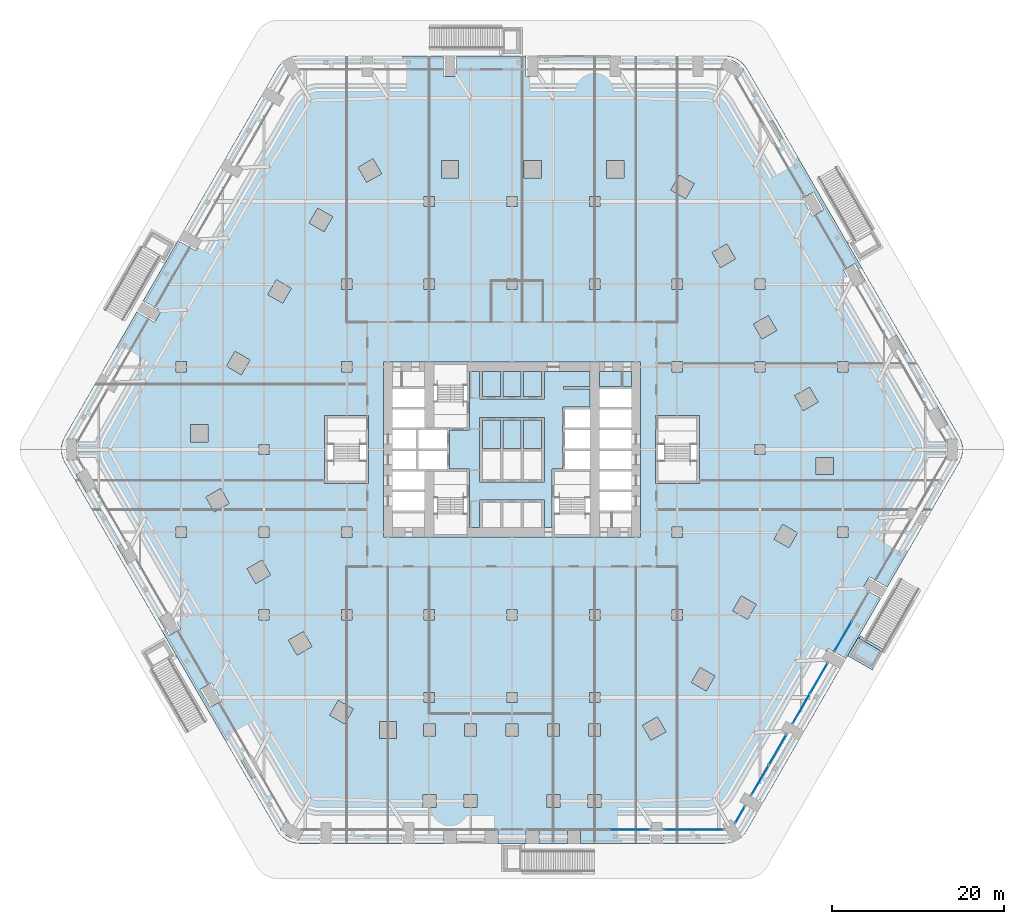
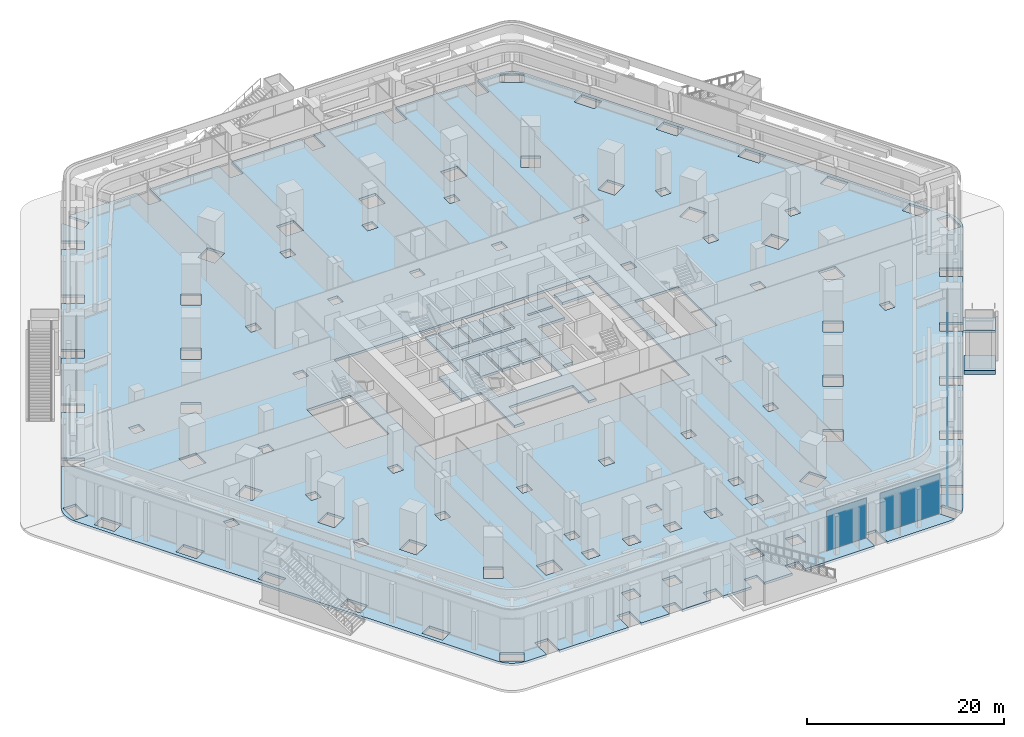
# One storey, part 14 of 34: 11 slabs, 8 plates, 7 elements without a shape of their own.
"""IFC4 building model written with IfcOpenShell, lengths in metres."""

from ifc_helpers import new_model, si_unit, direction, frame, origin, origin_2d, place, context, subcontext, project, spatial, polyline, rectangle, outline, extrude, material, layer, layer_set, type_object, element, aggregate, save


model = new_model("IFC4")

# Units and contexts
model_context = context("Model", 3, precision=1e-05, world=origin(), true_north=direction((0.0, 1.0)))
body_context = subcontext(model_context, "Body", "Model", "MODEL_VIEW")
ifc_project = project(units=[si_unit("LENGTHUNIT", "METRE"), si_unit("AREAUNIT", "SQUARE_METRE"), si_unit("VOLUMEUNIT", "CUBIC_METRE"), si_unit("PLANEANGLEUNIT", "RADIAN"), si_unit("MASSUNIT", "GRAM", prefix="KILO")], contexts=[model_context])

# Site, building, storey
site_placement = place(None, origin())
site = spatial("IfcSite", under=ifc_project, at=site_placement, CompositionType="ELEMENT")
building_placement = place(site_placement, origin())
building = spatial("IfcBuilding", under=site, at=building_placement, Name="Kolab Exchange Tower", CompositionType="ELEMENT")
storey_placement = place(building_placement, frame((0.0, 0.0, 7.0)))
storey = spatial("IfcBuildingStorey", under=building, at=storey_placement, Name="L01", CompositionType="ELEMENT", Elevation=7.0)

# Slabs
ifc_material_1 = material(Name="Concrete C35/45", Category="concrete")
ifc_layer_1 = layer(ifc_material_1, 0.300048828125)
ifc_layer_set_1 = layer_set([ifc_layer_1], Name="Concrete C35/45")
slab_type_1 = type_object("IfcSlabType", Name="FLOOR SLAB 300", PredefinedType="FLOOR", material=ifc_layer_set_1)
slab_1_placement = place(storey_placement, frame((0.0, 0.0, -0.300048828125)))
element("IfcSlab", 1, at=slab_1_placement, inside=storey, type_object=slab_type_1, Name="slab/L01/floor/0", PredefinedType="FLOOR", context=body_context, shape_type="SweptSolid", body=[
    extrude(outline(polyline([(24.66796875, 45.72607421875), (22.35009765625, 45.72607421875), (22.35009765625, 43.326171875), (20.85009765625, 43.326171875), (20.85009765625, 45.72607421875), (12.75, 45.72607421875), (12.75, 43.326171875), (11.25, 43.326171875), (11.25, 45.72607421875), (3.14990234375, 45.72607421875), (3.14990234375, 43.326171875), (1.64990234375, 43.326171875), (1.64990234375, 45.72607421875), (-6.449951171875, 45.72607421875), (-6.449951171875, 43.326171875), (-7.949951171875, 43.326171875), (-7.949951171875, 45.72607421875), (-16.050048828125, 45.72607421875), (-16.050048828125, 43.326171875), (-17.550048828125, 43.326171875), (-17.550048828125, 45.72607421875), (-24.66796875, 45.72607421875), (-25.18896484375, 45.6806640625), (-25.46484375, 45.606689453125), (-24.318359375, 43.620849609375), (-25.617431640625, 42.870849609375), (-26.763916015625, 44.856689453125), (-26.966064453125, 44.654541015625), (-27.26611328125, 44.22607421875), (-28.425048828125, 42.21875), (-26.346435546875, 41.018798828125), (-27.096435546875, 39.7197265625), (-29.175048828125, 40.919677734375), (-33.22509765625, 33.90478515625), (-31.146484375, 32.704833984375), (-31.896484375, 31.40576171875), (-33.97509765625, 32.60595703125), (-38.02490234375, 25.591064453125), (-35.946533203125, 24.39111328125), (-36.696533203125, 23.092041015625), (-38.77490234375, 24.2919921875), (-42.824951171875, 17.277099609375), (-40.74658203125, 16.0771484375), (-41.49658203125, 14.778076171875), (-43.574951171875, 15.978271484375), (-47.625, 8.96337890625), (-45.546630859375, 7.763427734375), (-46.296630859375, 6.46435546875), (-48.375, 7.664306640625), (-51.93408203125, 1.5), (-52.155029296875, 1.026123046875), (-52.290283203125, 0.52099609375), (-52.3359375, 0.0), (-52.290283203125, -0.52099609375), (-52.155029296875, -1.026123046875), (-51.93408203125, -1.5), (-27.26611328125, -44.22607421875), (-26.966064453125, -44.654541015625), (-26.59619140625, -45.024169921875), (-26.16796875, -45.32421875), (-25.694091796875, -45.545166015625), (-25.18896484375, -45.6806640625), (-24.66796875, -45.72607421875), (-22.35009765625, -45.72607421875), (-22.35009765625, -43.326171875), (-20.85009765625, -43.326171875), (-20.85009765625, -45.72607421875), (-12.75, -45.72607421875), (-12.75, -43.326171875), (-11.25, -43.326171875), (-11.25, -45.72607421875), (-7.949951171875, -45.72607421875), (-7.949951171875, -44.22607421875), (-6.449951171875, -44.22607421875), (-6.449951171875, -45.72607421875), (-3.14990234375, -45.72607421875), (-3.14990234375, -44.22607421875), (-1.64990234375, -44.22607421875), (-1.64990234375, -45.72607421875), (1.64990234375, -45.72607421875), (1.64990234375, -44.22607421875), (3.14990234375, -44.22607421875), (3.14990234375, -45.72607421875), (6.449951171875, -45.72607421875), (6.449951171875, -44.22607421875), (7.949951171875, -44.22607421875), (7.949951171875, -45.72607421875), (16.050048828125, -45.72607421875), (16.050048828125, -43.326171875), (17.550048828125, -43.326171875), (17.550048828125, -45.72607421875), (24.66796875, -45.72607421875), (25.18896484375, -45.6806640625), (25.46484375, -45.606689453125), (24.318359375, -43.620849609375), (25.617431640625, -42.870849609375), (26.763916015625, -44.856689453125), (26.966064453125, -44.654541015625), (27.26611328125, -44.22607421875), (28.425048828125, -42.21875), (26.346435546875, -41.018798828125), (27.096435546875, -39.7197265625), (29.175048828125, -40.919677734375), (33.22509765625, -33.90478515625), (31.146484375, -32.704833984375), (31.896484375, -31.40576171875), (33.97509765625, -32.60595703125), (38.02490234375, -25.591064453125), (35.946533203125, -24.39111328125), (36.696533203125, -23.092041015625), (38.77490234375, -24.2919921875), (42.824951171875, -17.277099609375), (40.74658203125, -16.0771484375), (41.49658203125, -14.778076171875), (43.574951171875, -15.978271484375), (47.625, -8.96337890625), (45.546630859375, -7.763427734375), (46.296630859375, -6.46435546875), (48.375, -7.664306640625), (51.93408203125, -1.5), (52.155029296875, -1.026123046875), (52.290283203125, -0.52099609375), (52.3359375, 0.0), (52.290283203125, 0.52099609375), (52.155029296875, 1.026123046875), (51.93408203125, 1.5), (27.26611328125, 44.22607421875), (26.966064453125, 44.654541015625), (26.59619140625, 45.024169921875), (26.16796875, 45.32421875), (25.694091796875, 45.545166015625), (25.18896484375, 45.6806640625), (24.66796875, 45.72607421875)]), holes=[polyline([(-26.232177734375, -43.035400390625), (-24.15380859375, -44.2353515625), (-24.90380859375, -45.534423828125), (-26.982177734375, -44.33447265625), (-26.232177734375, -43.035400390625)]), polyline([(-30.111328125, -35.39794921875), (-28.9111328125, -37.4765625), (-30.210205078125, -38.2265625), (-31.410400390625, -36.14794921875), (-30.111328125, -35.39794921875)]), polyline([(-15.39990234375, -31.555419921875), (-13.39990234375, -31.555419921875), (-13.39990234375, -33.555419921875), (-15.39990234375, -33.555419921875), (-15.39990234375, -31.555419921875)]), polyline([(-20.171875, -29.1318359375), (-18.43994140625, -30.1318359375), (-19.43994140625, -31.86376953125), (-21.171875, -30.86376953125), (-20.171875, -29.1318359375)]), polyline([(-34.9111328125, -27.084228515625), (-33.711181640625, -29.16259765625), (-35.01025390625, -29.91259765625), (-36.210205078125, -27.834228515625), (-34.9111328125, -27.084228515625)]), polyline([(-25.959716796875, -22.14697265625), (-24.227783203125, -21.14697265625), (-23.227783203125, -22.879150390625), (-24.959716796875, -23.879150390625), (-25.959716796875, -22.14697265625)]), polyline([(-39.711181640625, -18.770263671875), (-38.51123046875, -20.848876953125), (-39.810302734375, -21.598876953125), (-41.01025390625, -19.520263671875), (-39.711181640625, -18.770263671875)]), polyline([(-18.60009765625, -18.60009765625), (-18.60009765625, -19.800048828125), (-19.800048828125, -19.800048828125), (-19.800048828125, -18.60009765625), (-18.60009765625, -18.60009765625)]), polyline([(-29.39990234375, -18.60009765625), (-28.199951171875, -18.60009765625), (-28.199951171875, -19.800048828125), (-29.39990234375, -19.800048828125), (-29.39990234375, -18.60009765625)]), polyline([(-29.02783203125, -12.833251953125), (-28.02783203125, -14.565185546875), (-29.759765625, -15.565185546875), (-30.759765625, -13.833251953125), (-29.02783203125, -12.833251953125)]), polyline([(-44.51123046875, -10.45654296875), (-43.311279296875, -12.534912109375), (-44.6103515625, -13.284912109375), (-45.810302734375, -11.20654296875), (-44.51123046875, -10.45654296875)]), polyline([(-39.0, -9.0), (-37.800048828125, -9.0), (-37.800048828125, -10.199951171875), (-39.0, -10.199951171875), (-39.0, -9.0)]), polyline([(-18.60009765625, -9.0), (-18.60009765625, -10.199951171875), (-19.800048828125, -10.199951171875), (-19.800048828125, -9.0), (-18.60009765625, -9.0)]), polyline([(-28.199951171875, -9.0), (-28.199951171875, -10.199951171875), (-29.39990234375, -10.199951171875), (-29.39990234375, -9.0), (-28.199951171875, -9.0)]), polyline([(-35.559814453125, -5.519287109375), (-33.82763671875, -4.519287109375), (-32.82763671875, -6.25146484375), (-34.559814453125, -7.25146484375), (-35.559814453125, -5.519287109375)]), polyline([(-21.449951171875, -3.949951171875), (-21.75, -3.949951171875), (-21.75, 3.949951171875), (-21.449951171875, 3.949951171875), (-16.949951171875, 3.949951171875), (-16.64990234375, 3.949951171875), (-16.64990234375, -3.949951171875), (-16.949951171875, -3.949951171875), (-21.449951171875, -3.949951171875)]), polyline([(-49.311279296875, -2.142578125), (-48.111328125, -4.22119140625), (-49.410400390625, -4.97119140625), (-50.6103515625, -2.892578125), (-49.311279296875, -2.142578125)]), polyline([(-13.85009765625, -10.14990234375), (-14.949951171875, -10.14990234375), (-14.949951171875, 10.14990234375), (-13.85009765625, 10.14990234375), (-10.14990234375, 10.14990234375), (-9.050048828125, 10.14990234375), (-5.25, 10.14990234375), (9.050048828125, 10.14990234375), (10.14990234375, 10.14990234375), (13.85009765625, 10.14990234375), (14.949951171875, 10.14990234375), (14.949951171875, -10.14990234375), (13.85009765625, -10.14990234375), (10.14990234375, -10.14990234375), (9.050048828125, -10.14990234375), (4.949951171875, -10.14990234375), (-5.25, -10.14990234375), (-9.050048828125, -10.14990234375), (-10.14990234375, -10.14990234375), (-13.85009765625, -10.14990234375)]), polyline([(-50.385986328125, 1.199951171875), (-50.385986328125, -1.199951171875), (-51.885986328125, -1.199951171875), (-51.885986328125, 1.199951171875), (-50.385986328125, 1.199951171875)]), polyline([(-28.199951171875, 0.60009765625), (-28.199951171875, -0.60009765625), (-29.39990234375, -0.60009765625), (-29.39990234375, 0.60009765625), (-28.199951171875, 0.60009765625)]), polyline([(-37.31494140625, 2.903564453125), (-35.31494140625, 2.903564453125), (-35.31494140625, 0.903564453125), (-37.31494140625, 0.903564453125), (-37.31494140625, 2.903564453125)]), polyline([(-39.0, 10.199951171875), (-37.800048828125, 10.199951171875), (-37.800048828125, 9.0), (-39.0, 9.0), (-39.0, 10.199951171875)]), polyline([(-18.60009765625, 10.199951171875), (-18.60009765625, 9.0), (-19.800048828125, 9.0), (-19.800048828125, 10.199951171875), (-18.60009765625, 10.199951171875)]), polyline([(-32.159912109375, 11.408447265625), (-30.427734375, 10.408447265625), (-31.427734375, 8.67626953125), (-33.159912109375, 9.67626953125), (-32.159912109375, 11.408447265625)]), polyline([(-27.35986328125, 19.72216796875), (-25.627685546875, 18.72216796875), (-26.627685546875, 16.990234375), (-28.35986328125, 17.990234375), (-27.35986328125, 19.72216796875)]), polyline([(-18.60009765625, 19.800048828125), (-18.60009765625, 18.60009765625), (-19.800048828125, 18.60009765625), (-19.800048828125, 19.800048828125), (-18.60009765625, 19.800048828125)]), polyline([(-22.559814453125, 28.0361328125), (-20.82763671875, 27.0361328125), (-21.82763671875, 25.303955078125), (-23.559814453125, 26.303955078125), (-22.559814453125, 28.0361328125)]), polyline([(-16.14306640625, 33.767333984375), (-15.14306640625, 32.035400390625), (-16.875, 31.035400390625), (-17.875, 32.767333984375), (-16.14306640625, 33.767333984375)]), polyline([(-8.85009765625, -40.0693359375), (-8.85009765625, -41.5693359375), (-10.35009765625, -41.5693359375), (-10.35009765625, -40.0693359375), (-8.85009765625, -40.0693359375)]), polyline([(-10.300048828125, -31.85546875), (-8.89990234375, -31.85546875), (-8.89990234375, -33.25537109375), (-10.300048828125, -33.25537109375), (-10.300048828125, -31.85546875)]), polyline([(-9.0, -28.199951171875), (-9.0, -29.39990234375), (-10.199951171875, -29.39990234375), (-10.199951171875, -28.199951171875), (-9.0, -28.199951171875)]), polyline([(-9.0, -18.60009765625), (-9.0, -19.800048828125), (-10.199951171875, -19.800048828125), (-10.199951171875, -18.60009765625), (-9.0, -18.60009765625)]), polyline([(-9.0, 19.800048828125), (-9.0, 18.60009765625), (-10.199951171875, 18.60009765625), (-10.199951171875, 19.800048828125), (-9.0, 19.800048828125)]), polyline([(-10.199951171875, 29.39990234375), (-9.0, 29.39990234375), (-9.0, 28.199951171875), (-10.199951171875, 28.199951171875), (-10.199951171875, 29.39990234375)]), polyline([(-6.199951171875, 33.555419921875), (-6.199951171875, 31.555419921875), (-8.199951171875, 31.555419921875), (-8.199951171875, 33.555419921875), (-6.199951171875, 33.555419921875)]), polyline([(-4.050048828125, -40.0693359375), (-4.050048828125, -41.5693359375), (-5.550048828125, -41.5693359375), (-5.550048828125, -40.0693359375), (-4.050048828125, -40.0693359375)]), polyline([(0.699951171875, -31.85546875), (0.699951171875, -33.25537109375), (-0.699951171875, -33.25537109375), (-0.699951171875, -31.85546875), (0.699951171875, -31.85546875)]), polyline([(-4.10009765625, -31.85546875), (-4.10009765625, -33.25537109375), (-5.5, -33.25537109375), (-5.5, -31.85546875), (-4.10009765625, -31.85546875)]), polyline([(0.60009765625, -28.199951171875), (0.60009765625, -29.39990234375), (-0.60009765625, -29.39990234375), (-0.60009765625, -28.199951171875), (0.60009765625, -28.199951171875)]), polyline([(0.60009765625, -18.60009765625), (0.60009765625, -19.800048828125), (-0.60009765625, -19.800048828125), (-0.60009765625, -18.60009765625), (0.60009765625, -18.60009765625)]), polyline([(0.60009765625, 19.800048828125), (0.60009765625, 18.60009765625), (-0.60009765625, 18.60009765625), (-0.60009765625, 19.800048828125), (0.60009765625, 19.800048828125)]), polyline([(-0.60009765625, 29.39990234375), (0.60009765625, 29.39990234375), (0.60009765625, 28.199951171875), (-0.60009765625, 28.199951171875), (-0.60009765625, 29.39990234375)]), polyline([(3.39990234375, 33.555419921875), (3.39990234375, 31.555419921875), (1.39990234375, 31.555419921875), (1.39990234375, 33.555419921875), (3.39990234375, 33.555419921875)]), polyline([(5.550048828125, -40.0693359375), (5.550048828125, -41.5693359375), (4.050048828125, -41.5693359375), (4.050048828125, -40.0693359375), (5.550048828125, -40.0693359375)]), polyline([(10.35009765625, -40.0693359375), (10.35009765625, -41.5693359375), (8.85009765625, -41.5693359375), (8.85009765625, -40.0693359375), (10.35009765625, -40.0693359375)]), polyline([(10.300048828125, -31.85546875), (10.300048828125, -33.25537109375), (8.89990234375, -33.25537109375), (8.89990234375, -31.85546875), (10.300048828125, -31.85546875)]), polyline([(4.10009765625, -31.85546875), (5.5, -31.85546875), (5.5, -33.25537109375), (4.10009765625, -33.25537109375), (4.10009765625, -31.85546875)]), polyline([(10.199951171875, -28.199951171875), (10.199951171875, -29.39990234375), (9.0, -29.39990234375), (9.0, -28.199951171875), (10.199951171875, -28.199951171875)]), polyline([(10.199951171875, -18.60009765625), (10.199951171875, -19.800048828125), (9.0, -19.800048828125), (9.0, -18.60009765625), (10.199951171875, -18.60009765625)]), polyline([(10.199951171875, 19.800048828125), (10.199951171875, 18.60009765625), (9.0, 18.60009765625), (9.0, 19.800048828125), (10.199951171875, 19.800048828125)]), polyline([(10.199951171875, 29.39990234375), (10.199951171875, 28.199951171875), (9.0, 28.199951171875), (9.0, 29.39990234375), (10.199951171875, 29.39990234375)]), polyline([(13.0, 33.555419921875), (13.0, 31.555419921875), (11.0, 31.555419921875), (11.0, 33.555419921875), (13.0, 33.555419921875)]), polyline([(16.875, -31.035400390625), (17.875, -32.767333984375), (16.14306640625, -33.767333984375), (15.14306640625, -32.035400390625), (16.875, -31.035400390625)]), polyline([(20.82763671875, -27.0361328125), (21.82763671875, -25.303955078125), (23.559814453125, -26.303955078125), (22.559814453125, -28.0361328125), (20.82763671875, -27.0361328125)]), polyline([(19.800048828125, -18.60009765625), (19.800048828125, -19.800048828125), (18.60009765625, -19.800048828125), (18.60009765625, -18.60009765625), (19.800048828125, -18.60009765625)]), polyline([(25.627685546875, -18.72216796875), (26.627685546875, -16.990234375), (28.35986328125, -17.990234375), (27.35986328125, -19.72216796875), (25.627685546875, -18.72216796875)]), polyline([(31.427734375, -8.67626953125), (33.159912109375, -9.67626953125), (32.159912109375, -11.408447265625), (30.427734375, -10.408447265625), (31.427734375, -8.67626953125)]), polyline([(39.0, -9.0), (39.0, -10.199951171875), (37.800048828125, -10.199951171875), (37.800048828125, -9.0), (39.0, -9.0)]), polyline([(19.800048828125, -9.0), (19.800048828125, -10.199951171875), (18.60009765625, -10.199951171875), (18.60009765625, -9.0), (19.800048828125, -9.0)]), polyline([(21.75, -3.949951171875), (21.449951171875, -3.949951171875), (16.949951171875, -3.949951171875), (16.64990234375, -3.949951171875), (16.64990234375, 3.949951171875), (16.949951171875, 3.949951171875), (21.449951171875, 3.949951171875), (21.75, 3.949951171875), (21.75, -3.949951171875)]), polyline([(37.31494140625, -0.903564453125), (37.31494140625, -2.903564453125), (35.31494140625, -2.903564453125), (35.31494140625, -0.903564453125), (37.31494140625, -0.903564453125)]), polyline([(50.385986328125, 1.199951171875), (51.885986328125, 1.199951171875), (51.885986328125, -1.199951171875), (50.385986328125, -1.199951171875), (50.385986328125, 1.199951171875)]), polyline([(29.39990234375, 0.60009765625), (29.39990234375, -0.60009765625), (28.199951171875, -0.60009765625), (28.199951171875, 0.60009765625), (29.39990234375, 0.60009765625)]), polyline([(49.410400390625, 4.97119140625), (50.6103515625, 2.892578125), (49.311279296875, 2.142578125), (48.111328125, 4.22119140625), (49.410400390625, 4.97119140625)]), polyline([(34.559814453125, 7.25146484375), (35.559814453125, 5.519287109375), (33.82763671875, 4.519287109375), (32.82763671875, 6.25146484375), (34.559814453125, 7.25146484375)]), polyline([(29.39990234375, 10.199951171875), (29.39990234375, 9.0), (28.199951171875, 9.0), (28.199951171875, 10.199951171875), (29.39990234375, 10.199951171875)]), polyline([(18.60009765625, 10.199951171875), (19.800048828125, 10.199951171875), (19.800048828125, 9.0), (18.60009765625, 9.0), (18.60009765625, 10.199951171875)]), polyline([(39.0, 10.199951171875), (39.0, 9.0), (37.800048828125, 9.0), (37.800048828125, 10.199951171875), (39.0, 10.199951171875)]), polyline([(44.6103515625, 13.284912109375), (45.810302734375, 11.20654296875), (44.51123046875, 10.45654296875), (43.311279296875, 12.534912109375), (44.6103515625, 13.284912109375)]), polyline([(28.02783203125, 14.565185546875), (29.759765625, 15.565185546875), (30.759765625, 13.833251953125), (29.02783203125, 12.833251953125), (28.02783203125, 14.565185546875)]), polyline([(29.39990234375, 19.800048828125), (29.39990234375, 18.60009765625), (28.199951171875, 18.60009765625), (28.199951171875, 19.800048828125), (29.39990234375, 19.800048828125)]), polyline([(19.800048828125, 19.800048828125), (19.800048828125, 18.60009765625), (18.60009765625, 18.60009765625), (18.60009765625, 19.800048828125), (19.800048828125, 19.800048828125)]), polyline([(38.51123046875, 20.848876953125), (39.810302734375, 21.598876953125), (41.01025390625, 19.520263671875), (39.711181640625, 18.770263671875), (38.51123046875, 20.848876953125)]), polyline([(24.959716796875, 23.879150390625), (25.959716796875, 22.14697265625), (24.227783203125, 21.14697265625), (23.227783203125, 22.879150390625), (24.959716796875, 23.879150390625)]), polyline([(35.01025390625, 29.91259765625), (36.210205078125, 27.834228515625), (34.9111328125, 27.084228515625), (33.711181640625, 29.16259765625), (35.01025390625, 29.91259765625)]), polyline([(19.43994140625, 31.86376953125), (21.171875, 30.86376953125), (20.171875, 29.1318359375), (18.43994140625, 30.1318359375), (19.43994140625, 31.86376953125)]), polyline([(30.210205078125, 38.2265625), (31.410400390625, 36.14794921875), (30.111328125, 35.39794921875), (28.9111328125, 37.4765625), (30.210205078125, 38.2265625)]), polyline([(24.90380859375, 45.534423828125), (26.982177734375, 44.33447265625), (26.232177734375, 43.035400390625), (24.15380859375, 44.2353515625), (24.90380859375, 45.534423828125)])]), origin(), (0.0, 0.0, 1.0), 0.300048828125),
])
slab_2_placement = place(storey_placement, frame((0.0, 0.0, -0.300048828125)))
element("IfcSlab", 2, at=slab_2_placement, inside=storey, type_object=slab_type_1, Name="slab/L01/floor/1", PredefinedType="FLOOR", context=body_context, shape_type="SweptSolid", body=[
    extrude(outline(polyline([(-7.25, 2.25), (-7.25, -2.25), (-5.25, -2.25), (-4.949951171875, -2.25), (-4.949951171875, -9.050048828125), (-3.75, -9.050048828125), (-3.75, -5.85009765625), (-3.449951171875, -5.85009765625), (-1.35009765625, -5.85009765625), (-1.050048828125, -5.85009765625), (1.050048828125, -5.85009765625), (1.35009765625, -5.85009765625), (3.449951171875, -5.85009765625), (3.75, -5.85009765625), (3.75, -9.050048828125), (4.64990234375, -9.050048828125), (4.64990234375, -2.25), (4.949951171875, -2.25), (5.85009765625, -2.25), (5.85009765625, 4.949951171875), (6.14990234375, 4.949951171875), (9.050048828125, 4.949951171875), (9.050048828125, 7.050048828125), (6.0, 7.050048828125), (6.0, 7.35009765625), (9.050048828125, 7.35009765625), (9.050048828125, 9.050048828125), (3.75, 9.050048828125), (3.75, 5.85009765625), (3.449951171875, 5.85009765625), (1.35009765625, 5.85009765625), (1.050048828125, 5.85009765625), (-1.050048828125, 5.85009765625), (-1.35009765625, 5.85009765625), (-3.449951171875, 5.85009765625), (-3.75, 5.85009765625), (-3.75, 9.050048828125), (-4.949951171875, 9.050048828125), (-4.949951171875, 2.25), (-5.25, 2.25), (-7.25, 2.25)]), holes=[polyline([(1.35009765625, -3.75), (1.050048828125, -3.75), (-1.050048828125, -3.75), (-1.35009765625, -3.75), (-3.449951171875, -3.75), (-3.75, -3.75), (-3.75, 3.75), (-3.449951171875, 3.75), (-1.35009765625, 3.75), (-1.050048828125, 3.75), (1.050048828125, 3.75), (1.35009765625, 3.75), (3.449951171875, 3.75), (3.75, 3.75), (3.75, -3.75), (3.449951171875, -3.75), (1.35009765625, -3.75)])]), origin(), (0.0, 0.0, 1.0), 0.300048828125),
])
slab_3_placement = place(storey_placement, frame((0.0, 0.0, -0.300048828125)))
element("IfcSlab", 3, at=slab_3_placement, inside=storey, type_object=slab_type_1, Name="slab/L01/floor/3", PredefinedType="FLOOR", context=body_context, shape_type="SweptSolid", body=[
    extrude(outline(polyline([(-1.35009765625, 0.14990234375), (-1.35009765625, 3.449951171875), (-3.449951171875, 3.449951171875), (-3.449951171875, 0.14990234375), (-1.35009765625, 0.14990234375)])), origin(), (0.0, 0.0, 1.0), 0.300048828125),
])
slab_4_placement = place(storey_placement, frame((0.0, 0.0, -0.300048828125)))
element("IfcSlab", 4, at=slab_4_placement, inside=storey, type_object=slab_type_1, Name="slab/L01/floor/5", PredefinedType="FLOOR", context=body_context, shape_type="SweptSolid", body=[
    extrude(outline(polyline([(1.050048828125, 0.14990234375), (1.050048828125, 3.449951171875), (-1.050048828125, 3.449951171875), (-1.050048828125, 0.14990234375), (1.050048828125, 0.14990234375)])), origin(), (0.0, 0.0, 1.0), 0.300048828125),
])
slab_5_placement = place(storey_placement, frame((0.0, 0.0, -0.300048828125)))
element("IfcSlab", 5, at=slab_5_placement, inside=storey, type_object=slab_type_1, Name="slab/L01/floor/7", PredefinedType="FLOOR", context=body_context, shape_type="SweptSolid", body=[
    extrude(outline(polyline([(1.35009765625, 3.449951171875), (1.35009765625, 0.14990234375), (3.449951171875, 0.14990234375), (3.449951171875, 3.449951171875), (1.35009765625, 3.449951171875)])), origin(), (0.0, 0.0, 1.0), 0.300048828125),
])
slab_6_placement = place(storey_placement, frame((0.0, 0.0, -0.300048828125)))
element("IfcSlab", 6, at=slab_6_placement, inside=storey, type_object=slab_type_1, Name="slab/L01/floor/13", PredefinedType="FLOOR", context=body_context, shape_type="SweptSolid", body=[
    extrude(outline(polyline([(10.14990234375, 7.35009765625), (13.85009765625, 7.35009765625), (13.85009765625, 9.050048828125), (10.14990234375, 9.050048828125), (10.14990234375, 7.35009765625)])), origin(), (0.0, 0.0, 1.0), 0.300048828125),
])
slab_7_placement = place(storey_placement, frame((0.0, 0.0, -0.300048828125)))
element("IfcSlab", 7, at=slab_7_placement, inside=storey, type_object=slab_type_1, Name="slab/L01/floor/16", PredefinedType="FLOOR", context=body_context, shape_type="SweptSolid", body=[
    extrude(outline(polyline([(-1.050048828125, 9.050048828125), (-1.050048828125, 6.14990234375), (1.050048828125, 6.14990234375), (1.050048828125, 9.050048828125), (-1.050048828125, 9.050048828125)])), origin(), (0.0, 0.0, 1.0), 0.300048828125),
])
slab_8_placement = place(storey_placement, frame((0.0, 0.0, -0.300048828125)))
element("IfcSlab", 8, at=slab_8_placement, inside=storey, type_object=slab_type_1, Name="slab/L01/floor/18", PredefinedType="FLOOR", context=body_context, shape_type="SweptSolid", body=[
    extrude(outline(polyline([(-1.35009765625, 6.14990234375), (-1.35009765625, 9.050048828125), (-3.449951171875, 9.050048828125), (-3.449951171875, 6.14990234375), (-1.35009765625, 6.14990234375)])), origin(), (0.0, 0.0, 1.0), 0.300048828125),
])
slab_9_placement = place(storey_placement, frame((0.0, 0.0, -0.300048828125)))
element("IfcSlab", 9, at=slab_9_placement, inside=storey, type_object=slab_type_1, Name="slab/L01/floor/20", PredefinedType="FLOOR", context=body_context, shape_type="SweptSolid", body=[
    extrude(outline(polyline([(1.35009765625, 6.14990234375), (3.449951171875, 6.14990234375), (3.449951171875, 9.050048828125), (1.35009765625, 9.050048828125), (1.35009765625, 6.14990234375)])), origin(), (0.0, 0.0, 1.0), 0.300048828125),
])

# Stair, slab
ifc_material_2 = material(Name="Concrete C40/50", Category="concrete")
stair_type = type_object("IfcStairType", Name="GARDEN STAIR RUN B", PredefinedType="STRAIGHT_RUN_STAIR", material=ifc_material_2)
stair_placement = place(storey_placement, origin())
stair = element("IfcStair", 10, at=stair_placement, inside=storey, type_object=stair_type, Name="Garden stair GS3 run B", PredefinedType="STRAIGHT_RUN_STAIR")
ifc_layer_2 = layer(ifc_material_2, 0.199951171875)
ifc_layer_set_2 = layer_set([ifc_layer_2], Name="Concrete C40/50")
slab_type_2 = type_object("IfcSlabType", Name="GARDEN STAIR LANDING 200", PredefinedType="LANDING", material=ifc_layer_set_2)
slab_10_placement = place(storey_placement, frame((0.0, 0.0, 5.199951171875)))
slab_10 = element("IfcSlab", 11, at=slab_10_placement, type_object=slab_type_2, Name="GS3 landing 1", PredefinedType="LANDING", context=body_context, shape_type="SweptSolid", body=[
    extrude(outline(polyline([(40.1826171875, -21.854248046875), (38.97998046875, -23.93701171875), (41.837890625, -25.5869140625), (43.040283203125, -23.504150390625), (40.1826171875, -21.854248046875)])), origin(), (0.0, 0.0, 1.0), 0.199951171875),
])
aggregate(stair, [slab_10])

# Curtain wall, plate
ifc_material_3 = material(Name="Aluminium EN AW-6063 T6", Category="aluminium")
curtain_wall_type = type_object("IfcCurtainWallType", Name="PODIUM STRUCTURAL GLAZING CURTAIN WALL", PredefinedType="NOTDEFINED", material=ifc_material_3)
curtain_wall_1_placement = place(storey_placement, origin())
curtain_wall_1 = element("IfcCurtainWall", 12, at=curtain_wall_1_placement, inside=storey, type_object=curtain_wall_type, Name="cw/L01/F3-3", PredefinedType="NOTDEFINED")
ifc_material_4 = material(Name="Clear insulated glazing unit", Category="glass")
ifc_layer_3 = layer(ifc_material_4, 0.035888671875)
ifc_layer_set_3 = layer_set([ifc_layer_3], Name="Clear insulated glazing unit")
plate_type = type_object("IfcPlateType", Name="PODIUM STRUCTURAL GLAZING GLASS PANEL 36", PredefinedType="CURTAIN_PANEL", material=ifc_layer_set_3)
plate_1_placement = place(storey_placement, frame((38.419189453125, -21.748291015625, 0.080078125), z_axis=(0.0, 0.0, 1.0), x_axis=(-0.499999989571, -0.866025409806, 0.0)))
plate_1 = element("IfcPlate", 13, at=plate_1_placement, type_object=plate_type, Name="CW5 panel 2.1", PredefinedType="CURTAIN_PANEL", context=body_context, shape_type="SweptSolid", body=[
    extrude(rectangle(XDim=3.969970703125, YDim=0.035888671875, at=origin_2d()), origin(), (0.0, 0.0, 1.0), 4.93994140625),
])
aggregate(curtain_wall_1, [plate_1])

# Curtain wall, plates
curtain_wall_2_placement = place(storey_placement, origin())
curtain_wall_2 = element("IfcCurtainWall", 14, at=curtain_wall_2_placement, inside=storey, type_object=curtain_wall_type, Name="cw/L01/F3-4", PredefinedType="NOTDEFINED")
plate_2_placement = place(storey_placement, frame((35.644287109375, -26.5546875, 0.080078125), z_axis=(0.0, 0.0, 1.0), x_axis=(-0.499999989571, -0.866025409806, 0.0)))
plate_2 = element("IfcPlate", 15, at=plate_2_placement, type_object=plate_type, Name="CW5 panel 1.1", PredefinedType="CURTAIN_PANEL", context=body_context, shape_type="SweptSolid", body=[
    extrude(rectangle(XDim=3.969970703125, YDim=0.035888671875, at=origin_2d()), origin(), (0.0, 0.0, 1.0), 4.93994140625),
])
plate_3_placement = place(storey_placement, frame((33.619140625, -30.062255859375, 0.080078125), z_axis=(0.0, 0.0, 1.0), x_axis=(-0.499999989571, -0.866025409806, 0.0)))
plate_3 = element("IfcPlate", 16, at=plate_3_placement, type_object=plate_type, Name="CW5 panel 2.1", PredefinedType="CURTAIN_PANEL", context=body_context, shape_type="SweptSolid", body=[
    extrude(rectangle(XDim=3.969970703125, YDim=0.035888671875, at=origin_2d()), origin(), (0.0, 0.0, 1.0), 4.93994140625),
])
aggregate(curtain_wall_2, [plate_2, plate_3])

curtain_wall_3_placement = place(storey_placement, origin())
curtain_wall_3 = element("IfcCurtainWall", 17, at=curtain_wall_3_placement, inside=storey, type_object=curtain_wall_type, Name="cw/L01/F3-5", PredefinedType="NOTDEFINED")
plate_4_placement = place(storey_placement, frame((30.84423828125, -34.86865234375, 0.080078125), z_axis=(0.0, 0.0, 1.0), x_axis=(-0.500000042503, -0.866025379245, 0.0)))
plate_4 = element("IfcPlate", 18, at=plate_4_placement, type_object=plate_type, Name="CW5 panel 1.1", PredefinedType="CURTAIN_PANEL", context=body_context, shape_type="SweptSolid", body=[
    extrude(rectangle(XDim=3.969970703125, YDim=0.035888671875, at=origin_2d()), origin(), (0.0, 0.0, 1.0), 4.93994140625),
])
plate_5_placement = place(storey_placement, frame((28.819091796875, -38.3759765625, 0.080078125), z_axis=(0.0, 0.0, 1.0), x_axis=(-0.500000042503, -0.866025379245, 0.0)))
plate_5 = element("IfcPlate", 19, at=plate_5_placement, type_object=plate_type, Name="CW5 panel 2.1", PredefinedType="CURTAIN_PANEL", context=body_context, shape_type="SweptSolid", body=[
    extrude(rectangle(XDim=3.969970703125, YDim=0.035888671875, at=origin_2d()), origin(), (0.0, 0.0, 1.0), 4.93994140625),
])
aggregate(curtain_wall_3, [plate_4, plate_5])

# Curtain wall, plate
curtain_wall_4_placement = place(storey_placement, origin())
curtain_wall_4 = element("IfcCurtainWall", 20, at=curtain_wall_4_placement, inside=storey, type_object=curtain_wall_type, Name="cw/L01/F3-6", PredefinedType="NOTDEFINED")
plate_6_placement = place(storey_placement, frame((26.4873046875, -42.4150390625, 0.080078125), z_axis=(0.0, 0.0, 1.0), x_axis=(-0.500000110339, -0.86602534008, 0.0)))
plate_6 = element("IfcPlate", 21, at=plate_6_placement, type_object=plate_type, Name="CW5 panel 1.1", PredefinedType="CURTAIN_PANEL", context=body_context, shape_type="SweptSolid", body=[
    extrude(rectangle(XDim=2.197998046875, YDim=0.035888671875, at=origin_2d()), origin(), (0.0, 0.0, 1.0), 4.93994140625),
])
aggregate(curtain_wall_4, [plate_6])

curtain_wall_5_placement = place(storey_placement, origin())
curtain_wall_5 = element("IfcCurtainWall", 22, at=curtain_wall_5_placement, inside=storey, type_object=curtain_wall_type, Name="cw/L01/F4-1", PredefinedType="NOTDEFINED")
plate_7_placement = place(storey_placement, frame((21.0888671875, -44.146240234375, 0.080078125), z_axis=(0.0, 0.0, 1.0), x_axis=(-1.0, 0.0, 0.0)))
plate_7 = element("IfcPlate", 23, at=plate_7_placement, type_object=plate_type, Name="CW5 panel 1.1", PredefinedType="CURTAIN_PANEL", context=body_context, shape_type="SweptSolid", body=[
    extrude(rectangle(XDim=6.998046875, YDim=0.035888671875, at=origin_2d()), origin(), (0.0, 0.0, 1.0), 4.93994140625),
])
aggregate(curtain_wall_5, [plate_7])

curtain_wall_6_placement = place(storey_placement, origin())
curtain_wall_6 = element("IfcCurtainWall", 24, at=curtain_wall_6_placement, inside=storey, type_object=curtain_wall_type, Name="cw/L01/F4-2", PredefinedType="NOTDEFINED")
plate_8_placement = place(storey_placement, frame((13.6630859375, -44.146240234375, 0.080078125), z_axis=(0.0, 0.0, 1.0), x_axis=(-1.0, 0.0, 0.0)))
plate_8 = element("IfcPlate", 25, at=plate_8_placement, type_object=plate_type, Name="CW5 panel 1.1", PredefinedType="CURTAIN_PANEL", context=body_context, shape_type="SweptSolid", body=[
    extrude(rectangle(XDim=4.694091796875, YDim=0.035888671875, at=origin_2d()), origin(), (0.0, 0.0, 1.0), 4.93994140625),
])
aggregate(curtain_wall_6, [plate_8])

# Slab
ifc_layer_4 = layer(ifc_material_2, 0.449951171875)
ifc_layer_set_4 = layer_set([ifc_layer_4], Name="Concrete C40/50")
slab_type_3 = type_object("IfcSlabType", Name="STAIR PIER PLINTH 450", PredefinedType="FLOOR", material=ifc_layer_set_4)
slab_11_placement = place(storey_placement, origin())
element("IfcSlab", 26, at=slab_11_placement, inside=storey, type_object=slab_type_3, Name="Stair pier plinth", PredefinedType="FLOOR", context=body_context, shape_type="SweptSolid", body=[
    extrude(outline(polyline([(40.41650390625, -21.648681640625), (39.066650390625, -23.987060546875), (41.837890625, -25.5869140625), (43.18798828125, -23.248779296875), (40.41650390625, -21.648681640625)])), origin(), (0.0, 0.0, 1.0), 0.449951171875),
])

save(model, "model.ifc")
